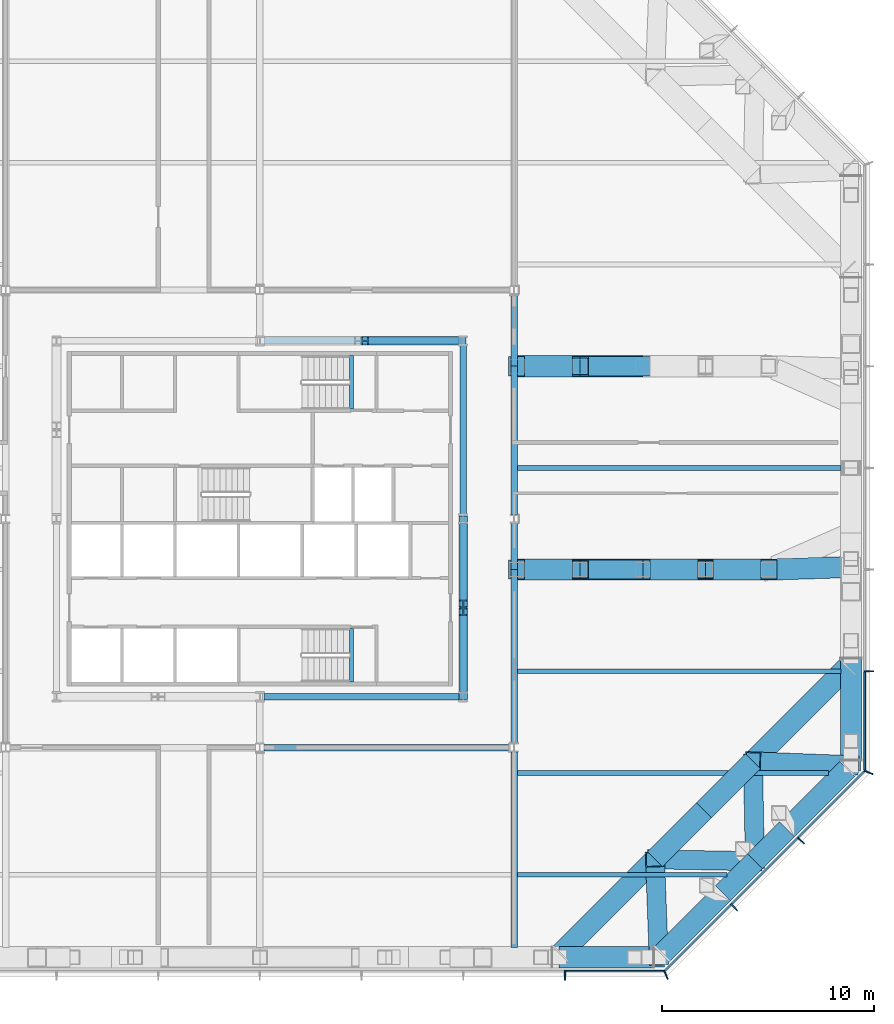
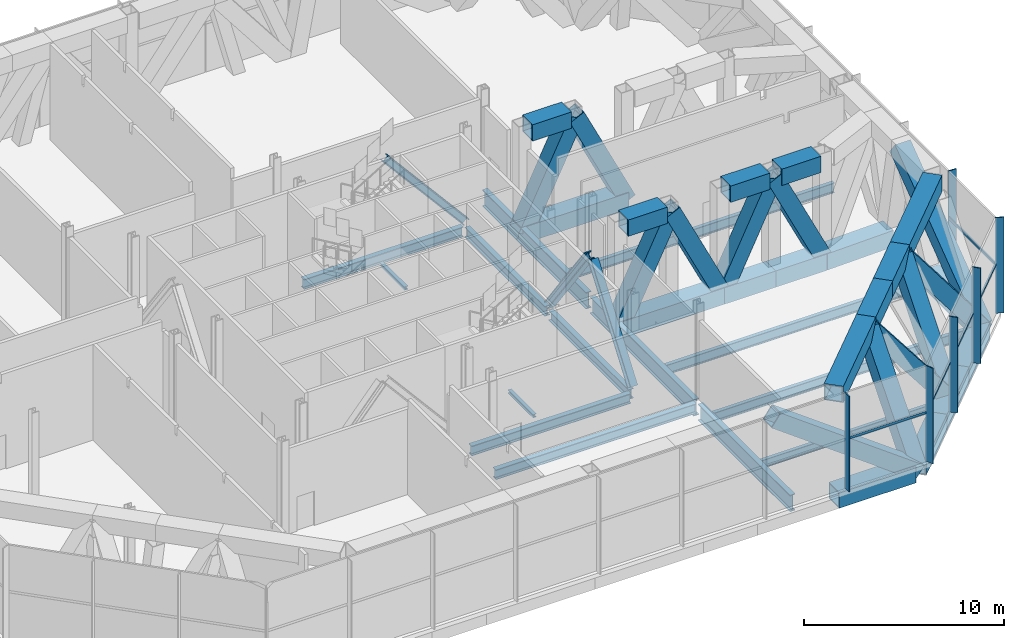
# One storey, part 5 of 17: 47 beams, 14 members, 3 elements without a shape of their own.
"""IFC4 building model written with IfcOpenShell, lengths in metres."""

import ifcopenshell
import ifcopenshell.guid

model = None  # the IFC model being written
_history = None  # IfcOwnerHistory: only IFC2X3 demands one
_inside = {}  # id of a spatial element -> (the spatial element, [elements in it])
_under = {}  # id of a project, library or spatial element -> (it, [spatial elements below it])
_declared = {}  # id of a project -> (the project, [libraries it declares])
_typed = {}  # id of a type object -> (the type object, [elements of that type])
_made_of = {}  # id of a material, layer set ... -> (it, [elements and type objects made of it])


def new_model(schema):
    """Start an empty IFC model of exactly this schema.

    Asked for "IFC4X3", IfcOpenShell would pick the latest addendum, in which some entities
    have other attributes; the version numbers below select the first issue.
    IFC2X3 requires an IfcOwnerHistory on every rooted entity: one is made here for all.
    """
    global model, _history
    if schema == "IFC4X3":
        model = ifcopenshell.file(schema_version=(4, 3, 0, 0))
    else:
        model = ifcopenshell.file(schema=schema)
    _inside.clear()
    _under.clear()
    _declared.clear()
    _typed.clear()
    _made_of.clear()
    _history = None
    if model.schema == "IFC2X3":
        org = make("IfcOrganization", Name="unknown")
        user = make(
            "IfcPersonAndOrganization",
            ThePerson=make("IfcPerson", FamilyName="unknown"),
            TheOrganization=org,
        )
        app = make(
            "IfcApplication",
            ApplicationDeveloper=org,
            Version="unknown",
            ApplicationFullName="unknown",
            ApplicationIdentifier="unknown",
        )
        _history = make(
            "IfcOwnerHistory",
            OwningUser=user,
            OwningApplication=app,
            ChangeAction="ADDED",
            CreationDate=0,
        )
    return model


def make(cls, **values):
    """One entity of the class cls with the attributes given. An attribute that is None is left unset."""
    return model.create_entity(
        cls, **{name: value for name, value in values.items() if value is not None}
    )


def rooted(cls, **values):
    """An entity with a GlobalId (a new one), such as an element, a storey or a relation."""
    return make(cls, GlobalId=ifcopenshell.guid.new(), OwnerHistory=_history, **values)


def si_unit(unit_type, name, prefix=None):
    """IfcSIUnit, for example si_unit("LENGTHUNIT", "METRE", prefix="MILLI")."""
    return make("IfcSIUnit", UnitType=unit_type, Prefix=prefix, Name=name)


def assignment(units):
    """IfcUnitAssignment: the units of a project."""
    return None if units is None else make("IfcUnitAssignment", Units=units)


def point(xyz):
    """IfcCartesianPoint."""
    return None if xyz is None else make("IfcCartesianPoint", Coordinates=xyz)


def direction(xyz):
    """IfcDirection."""
    return None if xyz is None else make("IfcDirection", DirectionRatios=xyz)


def frame(location, z_axis=None, x_axis=None):
    """IfcAxis2Placement3D, a coordinate frame: its origin and axes. An axis left out is left unset."""
    return make(
        "IfcAxis2Placement3D",
        Location=point(location),
        Axis=direction(z_axis),
        RefDirection=direction(x_axis),
    )


def frame_2d(location, x_axis=None):
    """IfcAxis2Placement2D, a coordinate frame in the plane: its origin and x axis."""
    return make(
        "IfcAxis2Placement2D", Location=point(location), RefDirection=direction(x_axis)
    )


def origin():
    """The frame at (0, 0, 0) with its axes left unset."""
    return frame((0.0, 0.0, 0.0))


def origin_2d():
    """The frame at (0, 0) in the plane with its x axis left unset."""
    return frame_2d((0.0, 0.0))


def place(relative_to, where):
    """IfcLocalPlacement: puts the frame where relative to a parent placement (None: the world)."""
    return make(
        "IfcLocalPlacement", PlacementRelTo=relative_to, RelativePlacement=where
    )


def context(
    kind, dimensions, precision=None, world=None, true_north=None, identifier=None
):
    """IfcGeometricRepresentationContext, for example the 3D "Model" context."""
    return make(
        "IfcGeometricRepresentationContext",
        ContextIdentifier=identifier,
        ContextType=kind,
        CoordinateSpaceDimension=dimensions,
        Precision=precision,
        WorldCoordinateSystem=world,
        TrueNorth=true_north,
    )


def subcontext(parent, identifier, kind, view, scale=None):
    """IfcGeometricRepresentationSubContext, for example "Body" below "Model"."""
    return make(
        "IfcGeometricRepresentationSubContext",
        ContextIdentifier=identifier,
        ContextType=kind,
        ParentContext=parent,
        TargetScale=scale,
        TargetView=view,
    )


def project(units=None, contexts=None):
    """IfcProject with its units and contexts."""
    return rooted(
        "IfcProject",
        Name="project",
        RepresentationContexts=contexts,
        UnitsInContext=assignment(units),
    )


def spatial(cls, under=None, at=None, **own):
    """A site, building, storey or space (cls), placed at a placement, below another one or the project."""
    s = rooted(cls, ObjectPlacement=at, **own)
    if under is not None:
        _under.setdefault(under.id(), (under, []))[1].append(s)
    return s


def profile(cls, at=None, kind="AREA", **sizes):
    """A parametric profile (cls). Its sizes go by their IFC names, for example OverallWidth=200.0."""
    return make(cls, ProfileType=kind, Position=at, **sizes)


def rectangle(**sizes):
    """IfcRectangleProfileDef."""
    return profile("IfcRectangleProfileDef", **sizes)


def hollow_rectangle(**sizes):
    """IfcRectangleHollowProfileDef."""
    return profile("IfcRectangleHollowProfileDef", **sizes)


def i_section(**sizes):
    """IfcIShapeProfileDef."""
    return profile("IfcIShapeProfileDef", **sizes)


def extrude(swept, where, along, depth):
    """IfcExtrudedAreaSolid: the profile swept, set in the frame where, extruded along a direction by depth."""
    return make(
        "IfcExtrudedAreaSolid",
        SweptArea=swept,
        Position=where,
        ExtrudedDirection=direction(along),
        Depth=depth,
    )


def shape(context_of_items, identifier, shape_type, items):
    """IfcShapeRepresentation: the items that make up one representation, for example the "Body"."""
    return make(
        "IfcShapeRepresentation",
        ContextOfItems=context_of_items,
        RepresentationIdentifier=identifier,
        RepresentationType=shape_type,
        Items=items,
    )


def material(Name=None, Category=None):
    """IfcMaterial."""
    return make("IfcMaterial", Name=Name, Category=Category)


def material_profile(
    of_material, cross_section, Name=None, Category=None, Priority=None
):
    """IfcMaterialProfile: a cross section and its material."""
    return make(
        "IfcMaterialProfile",
        Name=Name,
        Material=of_material,
        Profile=cross_section,
        Priority=Priority,
        Category=Category,
    )


def profile_set(profiles, Name=None, composite=None):
    """IfcMaterialProfileSet."""
    return make(
        "IfcMaterialProfileSet",
        Name=Name,
        MaterialProfiles=profiles,
        CompositeProfile=composite,
    )


def made_of(thing, what):
    """Note that an element or type object is made of a material, layer set ...; save() writes the relation."""
    if what is not None:
        _made_of.setdefault(what.id(), (what, []))[1].append(thing)
    return thing


def type_object(cls, material=None, **own):
    """A type object (cls), such as IfcWallType, which elements share."""
    return made_of(rooted(cls, **own), material)


def element(
    cls,
    number,
    at=None,
    inside=None,
    cuts=None,
    type_object=None,
    material=None,
    context=None,
    identifier="Body",
    shape_type=None,
    held_by="IfcProductDefinitionShape",
    body=None,
    shapes=None,
    **own,
):
    """One element of the class cls, such as IfcWall. Its Tag is "e" and its number.

    at: its placement. inside: the storey or other place that contains it. cuts: it is an
    opening in that element (IfcRelVoidsElement). A single representation is given by context,
    identifier, shape_type and body (its items); several are given by shapes. held_by: the class
    of the entity that holds the representations. save() writes the other relations.
    """
    e = rooted(cls, Tag="e%d" % number, ObjectPlacement=at, **own)
    if body is not None:
        shapes = [shape(context, identifier, shape_type, body)]
    if shapes is not None:
        e.Representation = make(held_by, Representations=shapes)
    if inside is not None:
        _inside.setdefault(inside.id(), (inside, []))[1].append(e)
    if cuts is not None:
        rooted(
            "IfcRelVoidsElement", RelatingBuildingElement=cuts, RelatedOpeningElement=e
        )
    if type_object is not None:
        _typed.setdefault(type_object.id(), (type_object, []))[1].append(e)
    return made_of(e, material)


def aggregate(whole, parts):
    """IfcRelAggregates: a whole, such as a stair, and the parts it consists of."""
    return rooted("IfcRelAggregates", RelatingObject=whole, RelatedObjects=parts)


def save(model, path):
    """Write the relations noted so far, then the file.

    IfcRelAggregates (storeys below a building ...), IfcRelContainedInSpatialStructure (elements
    in a storey), IfcRelDefinesByType, IfcRelAssociatesMaterial and IfcRelDeclares: one each for
    every whole, place, type object, material and project.
    """
    for whole, parts in _under.values():
        aggregate(whole, parts)
    for where, things in _inside.values():
        rooted(
            "IfcRelContainedInSpatialStructure",
            RelatedElements=things,
            RelatingStructure=where,
        )
    for kind, things in _typed.values():
        rooted("IfcRelDefinesByType", RelatedObjects=things, RelatingType=kind)
    for what, things in _made_of.values():
        rooted("IfcRelAssociatesMaterial", RelatedObjects=things, RelatingMaterial=what)
    for by, libraries in _declared.values():
        rooted("IfcRelDeclares", RelatingContext=by, RelatedDefinitions=libraries)
    model.write(path)


model = new_model("IFC4")

# Units and contexts
model_context = context("Model", 3, precision=1e-05, world=origin(), true_north=direction((0.0, 1.0)))
body_context = subcontext(model_context, "Body", "Model", "MODEL_VIEW")
ifc_project = project(units=[si_unit("LENGTHUNIT", "METRE"), si_unit("AREAUNIT", "SQUARE_METRE"), si_unit("VOLUMEUNIT", "CUBIC_METRE"), si_unit("PLANEANGLEUNIT", "RADIAN"), si_unit("MASSUNIT", "GRAM", prefix="KILO")], contexts=[model_context])

# Site, building, storey
site_placement = place(None, origin())
site = spatial("IfcSite", under=ifc_project, at=site_placement, CompositionType="ELEMENT")
building_placement = place(site_placement, origin())
building = spatial("IfcBuilding", under=site, at=building_placement, Name="Cairn Pilgrim Tower", CompositionType="ELEMENT")
storey_placement = place(building_placement, frame((0.0, 0.0, 119.39990234375)))
storey = spatial("IfcBuildingStorey", under=building, at=storey_placement, Name="L29", CompositionType="ELEMENT", Elevation=119.39990234375)

# Beams
ifc_material_1 = material(Name="Structural steel S460M", Category="steel")
ifc_material_profile_1 = material_profile(ifc_material_1, hollow_rectangle(XDim=1.0, YDim=1.0, WallThickness=0.06005859375, at=origin_2d()), Name="BOX 1000x1000x60")
ifc_profile_set_1 = profile_set([ifc_material_profile_1], Name="Structural steel S460M")
beam_type_1 = type_object("IfcBeamType", Name="BOX 1000x1000x60 CHORD", PredefinedType="USERDEFINED", material=ifc_profile_set_1)
beam_1_placement = place(storey_placement, frame((21.3203125, -18.300048828125, -0.75), z_axis=(1.0, 0.0, 0.0), x_axis=(0.0, 1.0, 0.0)))
element("IfcBeam", 1, at=beam_1_placement, inside=storey, type_object=beam_type_1, Name="BT29-S-BC8", ObjectType="CHORD", PredefinedType="USERDEFINED", context=body_context, shape_type="SweptSolid", body=[
    extrude(hollow_rectangle(XDim=1.0, YDim=1.0, WallThickness=0.06005859375, at=origin_2d()), origin(), (0.0, 0.0, 1.0), 4.44970703125),
])
beam_2_placement = place(storey_placement, frame((26.208984375, -18.1181640625, -0.75), z_axis=(0.707106781187, 0.707106781187, 0.0), x_axis=(-0.707106781187, 0.707106781187, 0.0)))
element("IfcBeam", 2, at=beam_2_placement, inside=storey, type_object=beam_type_1, Name="BT29-SE-BC1", ObjectType="CHORD", PredefinedType="USERDEFINED", context=body_context, shape_type="SweptSolid", body=[
    extrude(hollow_rectangle(XDim=1.0, YDim=1.0, WallThickness=0.06005859375, at=origin_2d()), origin(), (0.0, 0.0, 1.0), 4.02001953125),
])
beam_3_placement = place(storey_placement, frame((21.408935546875, -18.1181640625, 5.35009765625), z_axis=(0.707126210667, 0.707087351173, 0.0), x_axis=(-0.707087351173, 0.707126210667, 0.0)))
element("IfcBeam", 3, at=beam_3_placement, inside=storey, type_object=beam_type_1, Name="BT29-SE-TC1", ObjectType="CHORD", PredefinedType="USERDEFINED", context=body_context, shape_type="SweptSolid", body=[
    extrude(hollow_rectangle(XDim=1.0, YDim=1.0, WallThickness=0.06005859375, at=origin_2d()), origin(), (0.0, 0.0, 1.0), 6.28271484375),
])
beam_4_placement = place(storey_placement, frame((29.051513671875, -15.275634765625, -0.75), z_axis=(0.707163863469, 0.707049694295, 0.0), x_axis=(-0.707049694295, 0.707163863469, 0.0)))
element("IfcBeam", 4, at=beam_4_placement, inside=storey, type_object=beam_type_1, Name="BT29-SE-BC2", ObjectType="CHORD", PredefinedType="USERDEFINED", context=body_context, shape_type="SweptSolid", body=[
    extrude(hollow_rectangle(XDim=1.0, YDim=1.0, WallThickness=0.06005859375, at=origin_2d()), origin(), (0.0, 0.0, 1.0), 2.138427734375),
])
beam_5_placement = place(storey_placement, frame((25.8515625, -13.67578125, 5.35009765625), z_axis=(0.707069448129, 0.707144112273, 0.0), x_axis=(-0.707144112273, 0.707069448129, 0.0)))
element("IfcBeam", 5, at=beam_5_placement, inside=storey, type_object=beam_type_1, Name="BT29-SE-TC2", ObjectType="CHORD", PredefinedType="USERDEFINED", context=body_context, shape_type="SweptSolid", body=[
    extrude(hollow_rectangle(XDim=1.0, YDim=1.0, WallThickness=0.06005859375, at=origin_2d()), origin(), (0.0, 0.0, 1.0), 3.269775390625),
])
beam_6_placement = place(storey_placement, frame((30.563720703125, -13.763671875, -0.75), z_axis=(0.707049694295, 0.707163863469, 0.0), x_axis=(-0.707163863469, 0.707049694295, 0.0)))
element("IfcBeam", 6, at=beam_6_placement, inside=storey, type_object=beam_type_1, Name="BT29-SE-BC3", ObjectType="CHORD", PredefinedType="USERDEFINED", context=body_context, shape_type="SweptSolid", body=[
    extrude(hollow_rectangle(XDim=1.0, YDim=1.0, WallThickness=0.06005859375, at=origin_2d()), origin(), (0.0, 0.0, 1.0), 2.138427734375),
])
beam_7_placement = place(storey_placement, frame((28.16357421875, -11.363525390625, 5.35009765625), z_axis=(0.707106781187, 0.707106781187, 0.0), x_axis=(-0.707106781187, 0.707106781187, 0.0)))
element("IfcBeam", 7, at=beam_7_placement, inside=storey, type_object=beam_type_1, Name="BT29-SE-TC3", ObjectType="CHORD", PredefinedType="USERDEFINED", context=body_context, shape_type="SweptSolid", body=[
    extrude(hollow_rectangle(XDim=1.0, YDim=1.0, WallThickness=0.06005859375, at=origin_2d()), origin(), (0.0, 0.0, 1.0), 3.269775390625),
])
beam_8_placement = place(storey_placement, frame((32.07568359375, -12.25146484375, -0.75), z_axis=(0.707106781187, 0.707106781187, 0.0), x_axis=(-0.707106781187, 0.707106781187, 0.0)))
element("IfcBeam", 8, at=beam_8_placement, inside=storey, type_object=beam_type_1, Name="BT29-SE-BC4", ObjectType="CHORD", PredefinedType="USERDEFINED", context=body_context, shape_type="SweptSolid", body=[
    extrude(hollow_rectangle(XDim=1.0, YDim=1.0, WallThickness=0.06005859375, at=origin_2d()), origin(), (0.0, 0.0, 1.0), 4.02001953125),
])
beam_9_placement = place(storey_placement, frame((30.4755859375, -9.051513671875, 5.35009765625), z_axis=(0.707106781187, 0.707106781187, 0.0), x_axis=(-0.707106781187, 0.707106781187, 0.0)))
element("IfcBeam", 9, at=beam_9_placement, inside=storey, type_object=beam_type_1, Name="BT29-SE-TC4", ObjectType="CHORD", PredefinedType="USERDEFINED", context=body_context, shape_type="SweptSolid", body=[
    extrude(hollow_rectangle(XDim=1.0, YDim=1.0, WallThickness=0.06005859375, at=origin_2d()), origin(), (0.0, 0.0, 1.0), 6.28271484375),
])
beam_10_placement = place(storey_placement, frame((35.10009765625, -8.97021484375, -0.75), z_axis=(0.0, 1.0, 0.0), x_axis=(-1.0, 0.0, 0.0)))
element("IfcBeam", 10, at=beam_10_placement, inside=storey, type_object=beam_type_1, Name="BT29-E-BC1", ObjectType="CHORD", PredefinedType="USERDEFINED", context=body_context, shape_type="SweptSolid", body=[
    extrude(hollow_rectangle(XDim=1.0, YDim=1.0, WallThickness=0.06005859375, at=origin_2d()), origin(), (0.0, 0.0, 1.0), 4.88623046875),
])
beam_11_placement = place(storey_placement, frame((19.35009765625, 0.0, -0.75), z_axis=(1.0, 0.0, 0.0), x_axis=(0.0, 1.0, 0.0)))
element("IfcBeam", 11, at=beam_11_placement, inside=storey, type_object=beam_type_1, Name="TT29N0-BC1", ObjectType="CHORD", PredefinedType="USERDEFINED", context=body_context, shape_type="SweptSolid", body=[
    extrude(hollow_rectangle(XDim=1.0, YDim=1.0, WallThickness=0.06005859375, at=origin_2d()), origin(), (0.0, 0.0, 1.0), 5.9248046875),
])
beam_12_placement = place(storey_placement, frame((19.699951171875, 0.0, 5.35009765625), z_axis=(1.0, 0.0, 0.0), x_axis=(0.0, 1.0, 0.0)))
element("IfcBeam", 12, at=beam_12_placement, inside=storey, type_object=beam_type_1, Name="TT29N0-TC1", ObjectType="CHORD", PredefinedType="USERDEFINED", context=body_context, shape_type="SweptSolid", body=[
    extrude(hollow_rectangle(XDim=1.0, YDim=1.0, WallThickness=0.06005859375, at=origin_2d()), origin(), (0.0, 0.0, 1.0), 2.262451171875),
])
beam_13_placement = place(storey_placement, frame((25.27490234375, 0.0, -0.75), z_axis=(1.0, 0.0, 0.0), x_axis=(0.0, 1.0, 0.0)))
element("IfcBeam", 13, at=beam_13_placement, inside=storey, type_object=beam_type_1, Name="TT29N0-BC3", ObjectType="CHORD", PredefinedType="USERDEFINED", context=body_context, shape_type="SweptSolid", body=[
    extrude(hollow_rectangle(XDim=1.0, YDim=1.0, WallThickness=0.06005859375, at=origin_2d()), origin(), (0.0, 0.0, 1.0), 2.962646484375),
])
beam_14_placement = place(storey_placement, frame((25.625, 0.0, 5.35009765625), z_axis=(1.0, 0.0, 0.0), x_axis=(0.0, 1.0, 0.0)))
element("IfcBeam", 14, at=beam_14_placement, inside=storey, type_object=beam_type_1, Name="TT29N0-TC3", ObjectType="CHORD", PredefinedType="USERDEFINED", context=body_context, shape_type="SweptSolid", body=[
    extrude(hollow_rectangle(XDim=1.0, YDim=1.0, WallThickness=0.06005859375, at=origin_2d()), origin(), (0.0, 0.0, 1.0), 2.262451171875),
])
beam_15_placement = place(storey_placement, frame((28.237548828125, 0.0, -0.75), z_axis=(1.0, 0.0, 0.0), x_axis=(0.0, 1.0, 0.0)))
element("IfcBeam", 15, at=beam_15_placement, inside=storey, type_object=beam_type_1, Name="TT29N0-BC4", ObjectType="CHORD", PredefinedType="USERDEFINED", context=body_context, shape_type="SweptSolid", body=[
    extrude(hollow_rectangle(XDim=1.0, YDim=1.0, WallThickness=0.06005859375, at=origin_2d()), origin(), (0.0, 0.0, 1.0), 2.96240234375),
])
beam_16_placement = place(storey_placement, frame((28.58740234375, 0.0, 5.35009765625), z_axis=(1.0, 0.0, 0.0), x_axis=(0.0, 1.0, 0.0)))
element("IfcBeam", 16, at=beam_16_placement, inside=storey, type_object=beam_type_1, Name="TT29N0-TC4", ObjectType="CHORD", PredefinedType="USERDEFINED", context=body_context, shape_type="SweptSolid", body=[
    extrude(hollow_rectangle(XDim=1.0, YDim=1.0, WallThickness=0.06005859375, at=origin_2d()), origin(), (0.0, 0.0, 1.0), 2.2626953125),
])
beam_17_placement = place(storey_placement, frame((31.199951171875, 0.0, -0.75), z_axis=(0.999492783567, 0.031846123746, 0.0), x_axis=(-0.031846123746, 0.999492783567, 0.0)))
element("IfcBeam", 17, at=beam_17_placement, inside=storey, type_object=beam_type_1, Name="TT29N0-BC5", ObjectType="CHORD", PredefinedType="USERDEFINED", context=body_context, shape_type="SweptSolid", body=[
    extrude(hollow_rectangle(XDim=1.0, YDim=1.0, WallThickness=0.06005859375, at=origin_2d()), origin(), (0.0, 0.0, 1.0), 3.902099609375),
])
beam_18_placement = place(storey_placement, frame((19.35009765625, 9.60009765625, -0.75), z_axis=(1.0, 0.0, 0.0), x_axis=(0.0, 1.0, 0.0)))
element("IfcBeam", 18, at=beam_18_placement, inside=storey, type_object=beam_type_1, Name="TT29N96-BC1", ObjectType="CHORD", PredefinedType="USERDEFINED", context=body_context, shape_type="SweptSolid", body=[
    extrude(hollow_rectangle(XDim=1.0, YDim=1.0, WallThickness=0.06005859375, at=origin_2d()), origin(), (0.0, 0.0, 1.0), 5.9248046875),
])
beam_19_placement = place(storey_placement, frame((19.699951171875, 9.60009765625, 5.35009765625), z_axis=(1.0, 0.0, 0.0), x_axis=(0.0, 1.0, 0.0)))
element("IfcBeam", 19, at=beam_19_placement, inside=storey, type_object=beam_type_1, Name="TT29N96-TC1", ObjectType="CHORD", PredefinedType="USERDEFINED", context=body_context, shape_type="SweptSolid", body=[
    extrude(hollow_rectangle(XDim=1.0, YDim=1.0, WallThickness=0.06005859375, at=origin_2d()), origin(), (0.0, 0.0, 1.0), 2.262451171875),
])
ifc_material_profile_2 = material_profile(ifc_material_1, hollow_rectangle(XDim=0.89990234375, YDim=0.89990234375, WallThickness=0.050048828125, at=origin_2d()), Name="BOX 900x900x50")
ifc_profile_set_2 = profile_set([ifc_material_profile_2], Name="Structural steel S460M")
beam_type_2 = type_object("IfcBeamType", Name="BOX 900x900x50 DIAGONAL", PredefinedType="USERDEFINED", material=ifc_profile_set_2)
beam_20_placement = place(storey_placement, frame((17.720458984375, -18.300048828125, 5.35009765625), z_axis=(0.806008667644, 0.0, -0.59190373177), x_axis=(0.0, 1.0, 0.0)))
element("IfcBeam", 20, at=beam_20_placement, inside=storey, type_object=beam_type_2, Name="BT29-S-D8", ObjectType="DIAGONAL", PredefinedType="USERDEFINED", context=body_context, shape_type="SweptSolid", body=[
    extrude(hollow_rectangle(XDim=0.89990234375, YDim=0.89990234375, WallThickness=0.050048828125, at=origin_2d()), origin(), (0.0, 0.0, 1.0), 10.305908203125),
])
beam_21_placement = place(storey_placement, frame((26.027099609375, -18.300048828125, -0.75), z_axis=(-0.022925791926, 0.603946348917, 0.796695183677), x_axis=(-0.999280297625, -0.037932661105, 0.0)))
element("IfcBeam", 21, at=beam_21_placement, inside=storey, type_object=beam_type_2, Name="BT29-SE-D1", ObjectType="DIAGONAL", PredefinedType="USERDEFINED", context=body_context, shape_type="SweptSolid", body=[
    extrude(hollow_rectangle(XDim=0.89990234375, YDim=0.89990234375, WallThickness=0.050048828125, at=origin_2d()), origin(), (0.0, 0.0, 1.0), 7.65673828125),
])
for number, where, z_axis, x_axis, name in (
    (22, (25.8515625, -13.67578125, 5.35009765625), (0.611281557072, -0.011401552279, -0.791331070152), (0.018648639741, 0.999826098997, 0.0), "BT29-SE-D2"),
    (23, (30.563720703125, -13.763671875, -0.75), (-0.011433219124, 0.611281336033, 0.791330784007), (-0.999825131792, -0.018700423428, 0.0), "BT29-SE-D3"),
):
    element("IfcBeam", number, at=place(storey_placement, frame(where, z_axis=z_axis, x_axis=x_axis)), inside=storey, type_object=beam_type_2, Name=name, ObjectType="DIAGONAL", PredefinedType="USERDEFINED", context=body_context, shape_type="SweptSolid", body=[
        extrude(hollow_rectangle(XDim=0.89990234375, YDim=0.89990234375, WallThickness=0.050048828125, at=origin_2d()), origin(), (0.0, 0.0, 1.0), 7.708740234375),
    ])
beam_22_placement = place(storey_placement, frame((30.4755859375, -9.051513671875, 5.35009765625), z_axis=(0.60396616187, -0.022957218696, -0.796679258815), x_axis=(0.037983340104, 0.999278372564, 0.0)))
element("IfcBeam", 24, at=beam_22_placement, inside=storey, type_object=beam_type_2, Name="BT29-SE-D4", ObjectType="DIAGONAL", PredefinedType="USERDEFINED", context=body_context, shape_type="SweptSolid", body=[
    extrude(hollow_rectangle(XDim=0.89990234375, YDim=0.89990234375, WallThickness=0.050048828125, at=origin_2d()), origin(), (0.0, 0.0, 1.0), 7.656982421875),
])
beam_23_placement = place(storey_placement, frame((35.10009765625, -9.227294921875, -0.75), z_axis=(0.0, 0.801756074921, 0.597651400339), x_axis=(-1.0, 0.0, 0.0)))
element("IfcBeam", 25, at=beam_23_placement, inside=storey, type_object=beam_type_2, Name="BT29-E-D1", ObjectType="DIAGONAL", PredefinedType="USERDEFINED", context=body_context, shape_type="SweptSolid", body=[
    extrude(hollow_rectangle(XDim=0.89990234375, YDim=0.89990234375, WallThickness=0.050048828125, at=origin_2d()), origin(), (0.0, 0.0, 1.0), 10.206787109375),
])
for number, where, z_axis, x_axis, name in (
    (26, (19.35009765625, 0.0, -0.75), (0.436844038279, 0.0, 0.899537262274), (0.0, 1.0, 0.0), "TT29N0-D1"),
    (27, (22.3125, 0.0, 5.35009765625), (0.436844038279, 0.0, -0.899537262274), (0.0, 1.0, 0.0), "TT29N0-D2"),
    (28, (25.27490234375, 0.0, -0.75), (0.43687316895, 0.0, 0.899523114907), (0.0, 1.0, 0.0), "TT29N0-D3"),
    (29, (28.237548828125, 0.0, 5.35009765625), (0.436844038279, 0.0, -0.899537262274), (0.0, 1.0, 0.0), "TT29N0-D4"),
    (30, (19.35009765625, 9.60009765625, -0.75), (0.436844038279, 0.0, 0.899537262274), (0.0, 1.0, 0.0), "TT29N96-D1"),
    (31, (22.3125, 9.60009765625, 5.35009765625), (0.436844038279, 0.0, -0.899537262274), (0.0, 1.0, 0.0), "TT29N96-D2"),
):
    element("IfcBeam", number, at=place(storey_placement, frame(where, z_axis=z_axis, x_axis=x_axis)), inside=storey, type_object=beam_type_2, Name=name, ObjectType="DIAGONAL", PredefinedType="USERDEFINED", context=body_context, shape_type="SweptSolid", body=[
        extrude(hollow_rectangle(XDim=0.89990234375, YDim=0.89990234375, WallThickness=0.050048828125, at=origin_2d()), origin(), (0.0, 0.0, 1.0), 6.781494140625),
    ])

# Curtain wall, member
ifc_material_2 = material(Name="Aluminium alloy 6063-T6 bronze anodised with Bronze tinted laminated low-E glass 8+16+8.8", Category="aluminium")
curtain_wall_type = type_object("IfcCurtainWallType", Name="PLANT LOUVRE CURTAIN WALL", PredefinedType="NOTDEFINED", material=ifc_material_2)
curtain_wall_1_placement = place(storey_placement, origin())
curtain_wall_1 = element("IfcCurtainWall", 32, at=curtain_wall_1_placement, inside=storey, type_object=curtain_wall_type, Name="Plant Louvre Curtain Wall S", PredefinedType="NOTDEFINED")
ifc_material_3 = material(Name="Aluminium alloy 6063-T6 bronze anodised", Category="aluminium")
ifc_material_profile_3 = material_profile(ifc_material_3, rectangle(XDim=0.449951171875, YDim=0.06005859375, at=origin_2d()), Name="FIN MULLION 60x450 BRONZE")
ifc_profile_set_3 = profile_set([ifc_material_profile_3], Name="Aluminium alloy 6063-T6 bronze anodised")
member_type_1 = type_object("IfcMemberType", Name="FIN MULLION 60x450 BRONZE", PredefinedType="MULLION", material=ifc_profile_set_3)
member_1_placement = place(storey_placement, frame((21.60009765625, -19.14501953125, 0.0), z_axis=(0.0, 0.0, 1.0), x_axis=(0.0, -1.0, 0.0)))
member_1 = element("IfcMember", 33, at=member_1_placement, type_object=member_type_1, Name="Fin mullion S8", PredefinedType="MULLION", context=body_context, shape_type="SweptSolid", body=[
    extrude(rectangle(XDim=0.449951171875, YDim=0.06005859375, at=origin_2d()), origin(), (0.0, 0.0, 1.0), 5.85009765625),
])

# Curtain wall, members
curtain_wall_2_placement = place(storey_placement, origin())
curtain_wall_2 = element("IfcCurtainWall", 34, at=curtain_wall_2_placement, inside=storey, type_object=curtain_wall_type, Name="Plant Louvre Curtain Wall SE", PredefinedType="NOTDEFINED")
member_2_placement = place(storey_placement, frame((26.37109375, -19.130126953125, 0.0), z_axis=(0.0, 0.0, 1.0), x_axis=(0.382683432365, -0.923879532511, 0.0)))
member_2 = element("IfcMember", 35, at=member_2_placement, type_object=member_type_1, Name="Fin mullion SE1", PredefinedType="MULLION", context=body_context, shape_type="SweptSolid", body=[
    extrude(rectangle(XDim=0.449951171875, YDim=0.06005859375, at=origin_2d()), origin(), (0.0, 0.0, 1.0), 5.85009765625),
])
member_3_placement = place(storey_placement, frame((29.58544921875, -15.936767578125, 0.0), z_axis=(0.0, 0.0, 1.0), x_axis=(0.707106781187, -0.707106781187, 0.0)))
member_3 = element("IfcMember", 36, at=member_3_placement, type_object=member_type_1, Name="Fin mullion SE2", PredefinedType="MULLION", context=body_context, shape_type="SweptSolid", body=[
    extrude(rectangle(XDim=0.449951171875, YDim=0.06005859375, at=origin_2d()), origin(), (0.0, 0.0, 1.0), 5.85009765625),
])
member_4_placement = place(storey_placement, frame((32.73681640625, -12.785400390625, 0.0), z_axis=(0.0, 0.0, 1.0), x_axis=(0.707106781187, -0.707106781187, 0.0)))
member_4 = element("IfcMember", 37, at=member_4_placement, type_object=member_type_1, Name="Fin mullion SE3", PredefinedType="MULLION", context=body_context, shape_type="SweptSolid", body=[
    extrude(rectangle(XDim=0.449951171875, YDim=0.06005859375, at=origin_2d()), origin(), (0.0, 0.0, 1.0), 5.85009765625),
])

curtain_wall_3_placement = place(storey_placement, origin())
curtain_wall_3 = element("IfcCurtainWall", 38, at=curtain_wall_3_placement, inside=storey, type_object=curtain_wall_type, Name="Plant Louvre Curtain Wall E", PredefinedType="NOTDEFINED")
member_5_placement = place(storey_placement, frame((35.93017578125, -9.571044921875, 0.0), z_axis=(0.0, 0.0, 1.0), x_axis=(0.923879532511, -0.382683432365, 0.0)))
member_5 = element("IfcMember", 39, at=member_5_placement, type_object=member_type_1, Name="Fin mullion E1", PredefinedType="MULLION", context=body_context, shape_type="SweptSolid", body=[
    extrude(rectangle(XDim=0.449951171875, YDim=0.06005859375, at=origin_2d()), origin(), (0.0, 0.0, 1.0), 5.85009765625),
])
member_6_placement = place(storey_placement, frame((35.945068359375, -4.800048828125, 0.0), z_axis=(0.0, 0.0, 1.0), x_axis=(1.0, 0.0, 0.0)))
member_6 = element("IfcMember", 40, at=member_6_placement, type_object=member_type_1, Name="Fin mullion E2", PredefinedType="MULLION", context=body_context, shape_type="SweptSolid", body=[
    extrude(rectangle(XDim=0.449951171875, YDim=0.06005859375, at=origin_2d()), origin(), (0.0, 0.0, 1.0), 5.85009765625),
])

# Members
ifc_material_profile_4 = material_profile(ifc_material_1, i_section(OverallWidth=0.408935546875, OverallDepth=0.425048828125, WebThickness=0.03271484375, FlangeThickness=0.052490234375, FilletRadius=0.014892578125, at=origin_2d()), Name="HD 400x421")
ifc_profile_set_4 = profile_set([ifc_material_profile_4], Name="Structural steel S460M")
member_type_2 = type_object("IfcMemberType", Name="HD 400x421 BRACE", PredefinedType="BRACE", material=ifc_profile_set_4)
for number, where, z_axis, x_axis, name in (
    (41, (16.800048828125, -5.95751953125, 0.0), (0.0, 0.592111664467, 0.805855928068), (-1.0, 0.0, 0.0), "KB-2A"),
    (42, (16.800048828125, 2.357666015625, 0.0), (0.0, -0.592135310437, 0.805838553393), (1.0, 0.0, 0.0), "KB-2B"),
):
    element("IfcMember", number, at=place(storey_placement, frame(where, z_axis=z_axis, x_axis=x_axis)), inside=storey, type_object=member_type_2, Name=name, PredefinedType="BRACE", context=body_context, shape_type="SweptSolid", body=[
        extrude(i_section(OverallWidth=0.408935546875, OverallDepth=0.425048828125, WebThickness=0.03271484375, FlangeThickness=0.052490234375, FilletRadius=0.014892578125, at=origin_2d()), origin(), (0.0, 0.0, 1.0), 6.704833984375),
    ])
member_7_placement = place(storey_placement, frame((16.757568359375, 10.800048828125, 0.0), z_axis=(-0.647215336442, 0.0, 0.76230722696), x_axis=(0.0, -1.0, 0.0)))
element("IfcMember", 43, at=member_7_placement, inside=storey, type_object=member_type_2, Name="KB-3A", PredefinedType="BRACE", context=body_context, shape_type="SweptSolid", body=[
    extrude(i_section(OverallWidth=0.408935546875, OverallDepth=0.425048828125, WebThickness=0.03271484375, FlangeThickness=0.052490234375, FilletRadius=0.014892578125, at=origin_2d()), origin(), (0.0, 0.0, 1.0), 7.087158203125),
])

# Beams
ifc_material_4 = material(Name="Structural steel S355J2", Category="steel")
ifc_material_profile_5 = material_profile(ifc_material_4, i_section(OverallWidth=0.300048828125, OverallDepth=0.60009765625, WebThickness=0.015380859375, FlangeThickness=0.030029296875, FilletRadius=0.027099609375, at=origin_2d()), Name="HEB 600")
ifc_profile_set_5 = profile_set([ifc_material_profile_5], Name="Structural steel S355J2")
beam_type_3 = type_object("IfcBeamType", Name="HEB 600 CORE BEAM", PredefinedType="BEAM", material=ifc_profile_set_5)
beam_24_placement = place(storey_placement, frame((7.390869140625, -6.0, -0.5498046875), z_axis=(1.0, 0.0, 0.0), x_axis=(0.0, 1.0, 0.0)))
element("IfcBeam", 44, at=beam_24_placement, inside=storey, type_object=beam_type_3, Name="CB-2", PredefinedType="BEAM", context=body_context, shape_type="SweptSolid", body=[
    extrude(i_section(OverallWidth=0.300048828125, OverallDepth=0.60009765625, WebThickness=0.015380859375, FlangeThickness=0.030029296875, FilletRadius=0.027099609375, at=origin_2d()), origin(), (0.0, 0.0, 1.0), 9.21826171875),
])
for number, where, z_axis, x_axis, name in (
    (45, (16.800048828125, -5.80908203125, -0.5498046875), (0.0, 1.0, 0.0), (-1.0, 0.0, 0.0), "CB-3"),
    (46, (16.800048828125, 2.5908203125, -0.5498046875), (0.0, 1.0, 0.0), (-1.0, 0.0, 0.0), "CB-4"),
):
    element("IfcBeam", number, at=place(storey_placement, frame(where, z_axis=z_axis, x_axis=x_axis)), inside=storey, type_object=beam_type_3, Name=name, PredefinedType="BEAM", context=body_context, shape_type="SweptSolid", body=[
        extrude(i_section(OverallWidth=0.300048828125, OverallDepth=0.60009765625, WebThickness=0.015380859375, FlangeThickness=0.030029296875, FilletRadius=0.027099609375, at=origin_2d()), origin(), (0.0, 0.0, 1.0), 8.018310546875),
    ])
beam_25_placement = place(storey_placement, frame((16.609130859375, 10.800048828125, -0.5498046875), z_axis=(-1.0, 0.0, 0.0), x_axis=(0.0, -1.0, 0.0)))
element("IfcBeam", 47, at=beam_25_placement, inside=storey, type_object=beam_type_3, Name="CB-5", PredefinedType="BEAM", context=body_context, shape_type="SweptSolid", body=[
    extrude(i_section(OverallWidth=0.300048828125, OverallDepth=0.60009765625, WebThickness=0.015380859375, FlangeThickness=0.030029296875, FilletRadius=0.027099609375, at=origin_2d()), origin(), (0.0, 0.0, 1.0), 9.21826171875),
])
ifc_material_profile_6 = material_profile(ifc_material_4, i_section(OverallWidth=0.300048828125, OverallDepth=0.60009765625, WebThickness=0.015380859375, FlangeThickness=0.030029296875, FilletRadius=0.027099609375, at=origin_2d()), Name="HEB 600")
ifc_profile_set_6 = profile_set([ifc_material_profile_6], Name="Structural steel S355J2")
beam_type_4 = type_object("IfcBeamType", Name="HEB 600 INNER GIRDER", PredefinedType="BEAM", material=ifc_profile_set_6)
beam_26_placement = place(storey_placement, frame((7.404541015625, -8.39990234375, -0.5498046875), z_axis=(1.0, 0.0, 0.0), x_axis=(0.0, 1.0, 0.0)))
element("IfcBeam", 48, at=beam_26_placement, inside=storey, type_object=beam_type_4, Name="IG1-2", PredefinedType="BEAM", context=body_context, shape_type="SweptSolid", body=[
    extrude(i_section(OverallWidth=0.300048828125, OverallDepth=0.60009765625, WebThickness=0.015380859375, FlangeThickness=0.030029296875, FilletRadius=0.027099609375, at=origin_2d()), origin(), (0.0, 0.0, 1.0), 11.591064453125),
])
ifc_material_profile_7 = material_profile(ifc_material_4, i_section(OverallWidth=0.302001953125, OverallDepth=1.008056640625, WebThickness=0.02099609375, FlangeThickness=0.0400390625, FilletRadius=0.030029296875, at=origin_2d()), Name="HEM 1000")
ifc_profile_set_7 = profile_set([ifc_material_profile_7], Name="Structural steel S355J2")
beam_type_5 = type_object("IfcBeamType", Name="HEM 1000 GIRDER", PredefinedType="BEAM", material=ifc_profile_set_7)
beam_27_placement = place(storey_placement, frame((19.199951171875, -17.830078125, -0.75390625), z_axis=(0.0, 1.0, 0.0), x_axis=(-1.0, 0.0, 0.0)))
element("IfcBeam", 49, at=beam_27_placement, inside=storey, type_object=beam_type_5, Name="PG4-1", PredefinedType="BEAM", context=body_context, shape_type="SweptSolid", body=[
    extrude(i_section(OverallWidth=0.302001953125, OverallDepth=1.008056640625, WebThickness=0.02099609375, FlangeThickness=0.0400390625, FilletRadius=0.030029296875, at=origin_2d()), origin(), (0.0, 0.0, 1.0), 9.2255859375),
])
beam_28_placement = place(storey_placement, frame((19.199951171875, -8.195556640625, -0.75390625), z_axis=(0.0, 1.0, 0.0), x_axis=(-1.0, 0.0, 0.0)))
element("IfcBeam", 50, at=beam_28_placement, inside=storey, type_object=beam_type_5, Name="PG4-2", PredefinedType="BEAM", context=body_context, shape_type="SweptSolid", body=[
    extrude(i_section(OverallWidth=0.302001953125, OverallDepth=1.008056640625, WebThickness=0.02099609375, FlangeThickness=0.0400390625, FilletRadius=0.030029296875, at=origin_2d()), origin(), (0.0, 0.0, 1.0), 8.195556640625),
])
beam_29_placement = place(storey_placement, frame((19.199951171875, 0.0, -0.75390625), z_axis=(0.0, 1.0, 0.0), x_axis=(-1.0, 0.0, 0.0)))
element("IfcBeam", 51, at=beam_29_placement, inside=storey, type_object=beam_type_5, Name="PG4-E1", PredefinedType="BEAM", context=body_context, shape_type="SweptSolid", body=[
    extrude(i_section(OverallWidth=0.302001953125, OverallDepth=1.008056640625, WebThickness=0.02099609375, FlangeThickness=0.0400390625, FilletRadius=0.030029296875, at=origin_2d()), origin(), (0.0, 0.0, 1.0), 2.195556640625),
])
beam_30_placement = place(storey_placement, frame((19.199951171875, 2.6044921875, -0.75390625), z_axis=(0.0, 1.0, 0.0), x_axis=(-1.0, 0.0, 0.0)))
element("IfcBeam", 52, at=beam_30_placement, inside=storey, type_object=beam_type_5, Name="PG4-3", PredefinedType="BEAM", context=body_context, shape_type="SweptSolid", body=[
    extrude(i_section(OverallWidth=0.302001953125, OverallDepth=1.008056640625, WebThickness=0.02099609375, FlangeThickness=0.0400390625, FilletRadius=0.030029296875, at=origin_2d()), origin(), (0.0, 0.0, 1.0), 6.99560546875),
])
beam_31_placement = place(storey_placement, frame((19.199951171875, 9.60009765625, -0.75390625), z_axis=(0.0, 1.0, 0.0), x_axis=(-1.0, 0.0, 0.0)))
element("IfcBeam", 53, at=beam_31_placement, inside=storey, type_object=beam_type_5, Name="PG4-4", PredefinedType="BEAM", context=body_context, shape_type="SweptSolid", body=[
    extrude(i_section(OverallWidth=0.302001953125, OverallDepth=1.008056640625, WebThickness=0.02099609375, FlangeThickness=0.0400390625, FilletRadius=0.030029296875, at=origin_2d()), origin(), (0.0, 0.0, 1.0), 3.3955078125),
])
ifc_material_profile_8 = material_profile(ifc_material_4, i_section(OverallWidth=0.199951171875, OverallDepth=0.5, WebThickness=0.01025390625, FlangeThickness=0.01611328125, FilletRadius=0.02099609375, at=origin_2d()), Name="IPE 500")
ifc_profile_set_8 = profile_set([ifc_material_profile_8], Name="Structural steel S355J2")
beam_type_6 = type_object("IfcBeamType", Name="IPE 500 SECONDARY BEAM", PredefinedType="JOIST", material=ifc_profile_set_8)
beam_32_placement = place(storey_placement, frame((19.35009765625, -14.39990234375, -0.5), z_axis=(1.0, 0.0, 0.0), x_axis=(0.0, 1.0, 0.0)))
element("IfcBeam", 54, at=beam_32_placement, inside=storey, type_object=beam_type_6, Name="SB1-4", PredefinedType="JOIST", context=body_context, shape_type="SweptSolid", body=[
    extrude(i_section(OverallWidth=0.199951171875, OverallDepth=0.5, WebThickness=0.01025390625, FlangeThickness=0.01611328125, FilletRadius=0.02099609375, at=origin_2d()), origin(), (0.0, 0.0, 1.0), 9.89990234375),
])
ifc_material_profile_9 = material_profile(ifc_material_4, i_section(OverallWidth=0.219970703125, OverallDepth=0.60009765625, WebThickness=0.011962890625, FlangeThickness=0.01904296875, FilletRadius=0.02392578125, at=origin_2d()), Name="IPE 600")
ifc_profile_set_9 = profile_set([ifc_material_profile_9], Name="Structural steel S355J2")
beam_type_7 = type_object("IfcBeamType", Name="IPE 600 SECONDARY BEAM", PredefinedType="JOIST", material=ifc_profile_set_9)
beam_33_placement = place(storey_placement, frame((19.35009765625, -9.60009765625, -0.5498046875), z_axis=(1.0, 0.0, 0.0), x_axis=(0.0, 1.0, 0.0)))
element("IfcBeam", 55, at=beam_33_placement, inside=storey, type_object=beam_type_7, Name="SB2-3", PredefinedType="JOIST", context=body_context, shape_type="SweptSolid", body=[
    extrude(i_section(OverallWidth=0.219970703125, OverallDepth=0.60009765625, WebThickness=0.011962890625, FlangeThickness=0.01904296875, FilletRadius=0.02392578125, at=origin_2d()), origin(), (0.0, 0.0, 1.0), 14.699951171875),
])
for number, where, z_axis, x_axis, name in (
    (56, (19.35009765625, -4.800048828125, -0.5498046875), (1.0, 0.0, 0.0), (0.0, 1.0, 0.0), "SB3-3"),
    (57, (19.35009765625, 4.800048828125, -0.5498046875), (1.0, 0.0, 0.0), (0.0, 1.0, 0.0), "SB5-3"),
):
    element("IfcBeam", number, at=place(storey_placement, frame(where, z_axis=z_axis, x_axis=x_axis)), inside=storey, type_object=beam_type_7, Name=name, PredefinedType="JOIST", context=body_context, shape_type="SweptSolid", body=[
        extrude(i_section(OverallWidth=0.219970703125, OverallDepth=0.60009765625, WebThickness=0.011962890625, FlangeThickness=0.01904296875, FilletRadius=0.02392578125, at=origin_2d()), origin(), (0.0, 0.0, 1.0), 15.27978515625),
    ])
ifc_material_profile_10 = material_profile(ifc_material_4, i_section(OverallWidth=0.199951171875, OverallDepth=0.199951171875, WebThickness=0.009033203125, FlangeThickness=0.014892578125, FilletRadius=0.01806640625, at=origin_2d()), Name="HE 200 B")
ifc_profile_set_10 = profile_set([ifc_material_profile_10], Name="Structural steel S355J2")
beam_type_8 = type_object("IfcBeamType", Name="STAIR LANDING BEAM HE 200 B", PredefinedType="BEAM", material=ifc_profile_set_10)
for number, where, z_axis, x_axis, name in (
    (58, (11.5244140625, -2.77490234375, -0.349853515625), (0.0, -1.0, 0.0), (1.0, 0.0, 0.0), "STAIR LANDING BEAM LD-HE200B"),
    (59, (11.5244140625, 10.10009765625, -0.349853515625), (0.0, -1.0, 0.0), (1.0, 0.0, 0.0), "STAIR LANDING BEAM LD-HE200B"),
):
    element("IfcBeam", number, at=place(storey_placement, frame(where, z_axis=z_axis, x_axis=x_axis)), inside=storey, type_object=beam_type_8, Name=name, PredefinedType="BEAM", context=body_context, shape_type="SweptSolid", body=[
        extrude(i_section(OverallWidth=0.199951171875, OverallDepth=0.199951171875, WebThickness=0.009033203125, FlangeThickness=0.014892578125, FilletRadius=0.01806640625, at=origin_2d()), origin(), (0.0, 0.0, 1.0), 2.525146484375),
    ])

# Member
ifc_material_profile_11 = material_profile(ifc_material_3, rectangle(XDim=0.080078125, YDim=0.14990234375, at=origin_2d()), Name="TRANSOM 80x150 BRONZE")
ifc_profile_set_11 = profile_set([ifc_material_profile_11], Name="Aluminium alloy 6063-T6 bronze anodised")
member_type_3 = type_object("IfcMemberType", Name="TRANSOM 80x150 BRONZE", PredefinedType="USERDEFINED", material=ifc_profile_set_11)
member_8_placement = place(storey_placement, frame((21.6298828125, -18.949951171875, 3.0), z_axis=(1.0, 0.0, 0.0), x_axis=(0.0, 1.0, 0.0)))
member_8 = element("IfcMember", 60, at=member_8_placement, type_object=member_type_3, Name="Transom S8", ObjectType="TRANSOM", PredefinedType="USERDEFINED", context=body_context, shape_type="SweptSolid", body=[
    extrude(rectangle(XDim=0.080078125, YDim=0.14990234375, at=origin_2d()), origin(), (0.0, 0.0, 1.0), 4.62646484375),
])

aggregate(curtain_wall_1, [member_1, member_8])

member_9_placement = place(storey_placement, frame((26.32470703125, -18.921630859375, 3.0), z_axis=(0.707134609628, 0.70707895165, 0.0), x_axis=(-0.70707895165, 0.707134609628, 0.0)))
member_9 = element("IfcMember", 61, at=member_9_placement, type_object=member_type_3, Name="Transom SE1", ObjectType="TRANSOM", PredefinedType="USERDEFINED", context=body_context, shape_type="SweptSolid", body=[
    extrude(rectangle(XDim=0.080078125, YDim=0.14990234375, at=origin_2d()), origin(), (0.0, 0.0, 1.0), 4.386474609375),
])

member_10_placement = place(storey_placement, frame((29.46875, -15.777587890625, 3.0), z_axis=(0.707134546251, 0.707079015032, 0.0), x_axis=(-0.707079015032, 0.707134546251, 0.0)))
member_10 = element("IfcMember", 62, at=member_10_placement, type_object=member_type_3, Name="Transom SE2", ObjectType="TRANSOM", PredefinedType="USERDEFINED", context=body_context, shape_type="SweptSolid", body=[
    extrude(rectangle(XDim=0.080078125, YDim=0.14990234375, at=origin_2d()), origin(), (0.0, 0.0, 1.0), 4.396484375),
])

member_11_placement = place(storey_placement, frame((32.6201171875, -12.62646484375, 3.0), z_axis=(0.70707895165, 0.707134609628, 0.0), x_axis=(-0.707134609628, 0.70707895165, 0.0)))
member_11 = element("IfcMember", 63, at=member_11_placement, type_object=member_type_3, Name="Transom SE3", ObjectType="TRANSOM", PredefinedType="USERDEFINED", context=body_context, shape_type="SweptSolid", body=[
    extrude(rectangle(XDim=0.080078125, YDim=0.14990234375, at=origin_2d()), origin(), (0.0, 0.0, 1.0), 4.386474609375),
])

aggregate(curtain_wall_2, [member_2, member_3, member_4, member_9, member_10, member_11])

member_12_placement = place(storey_placement, frame((35.75, -9.45654296875, 3.0), z_axis=(0.0, 1.0, 0.0), x_axis=(-1.0, 0.0, 0.0)))
member_12 = element("IfcMember", 64, at=member_12_placement, type_object=member_type_3, Name="Transom E1", ObjectType="TRANSOM", PredefinedType="USERDEFINED", context=body_context, shape_type="SweptSolid", body=[
    extrude(rectangle(XDim=0.080078125, YDim=0.14990234375, at=origin_2d()), origin(), (0.0, 0.0, 1.0), 4.62646484375),
])

aggregate(curtain_wall_3, [member_5, member_6, member_12])

save(model, "model.ifc")
